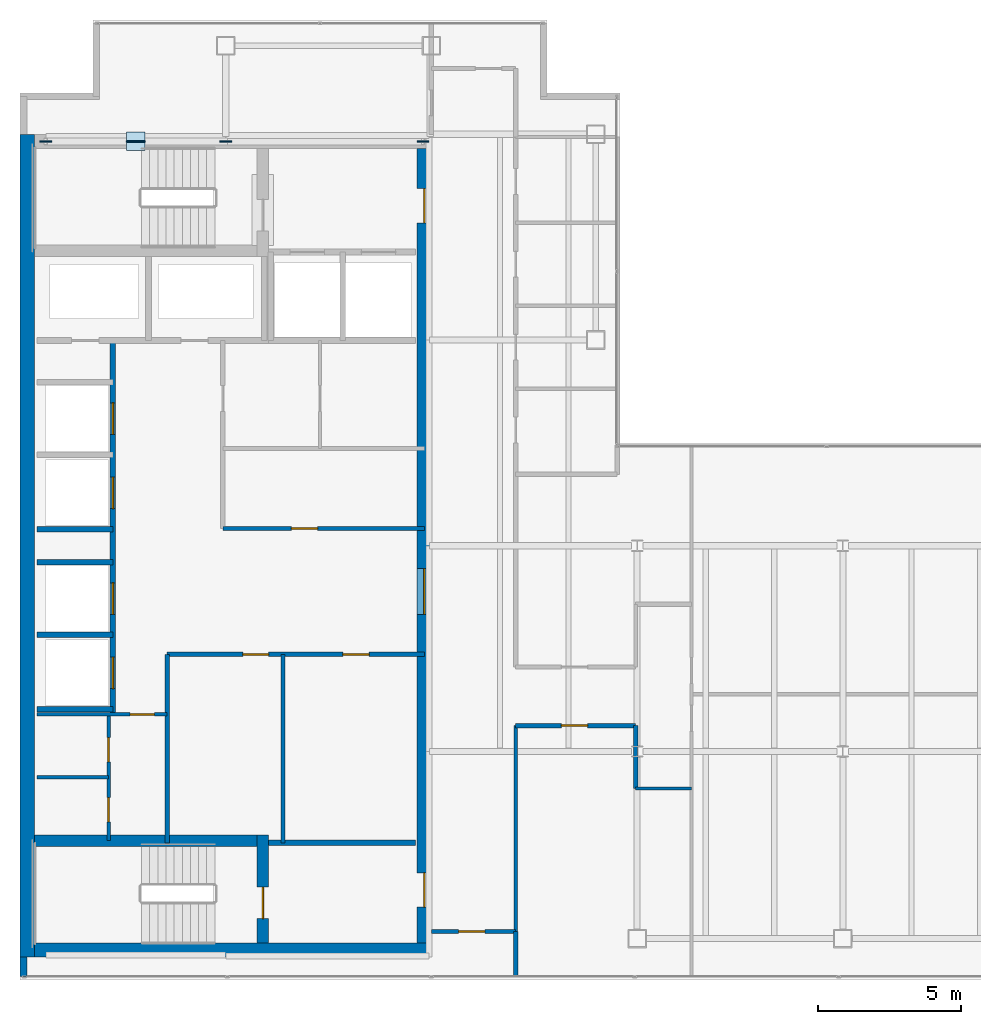
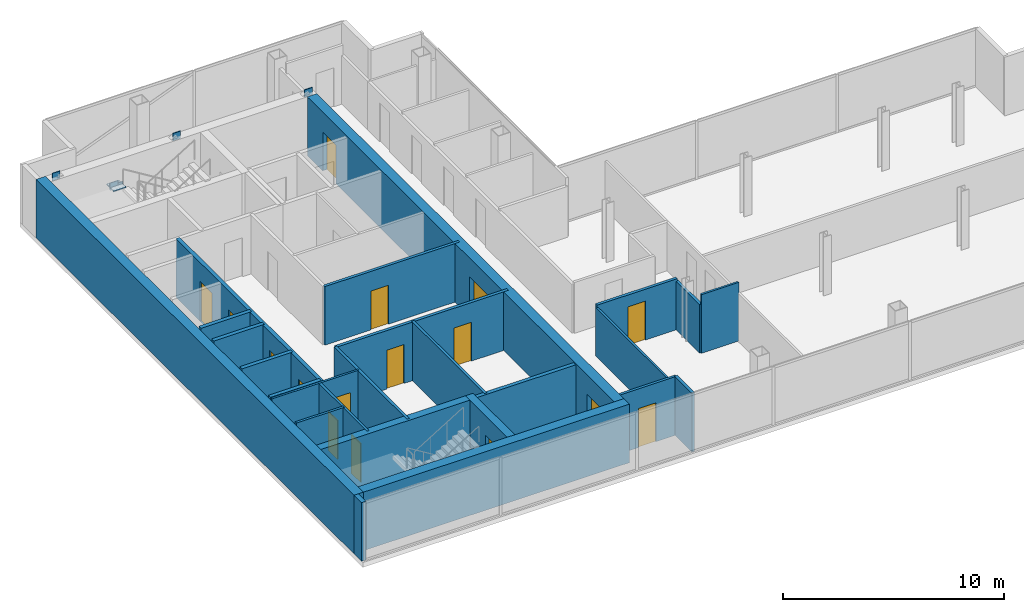
# One storey, part 20 of 23: 25 walls, 16 doors, 6 plates, 16 openings.
"""IFC4 building model written with IfcOpenShell, lengths in metres."""

from ifc_helpers import new_model, si_unit, direction, frame, frame_2d, origin, origin_2d, place, context, subcontext, project, spatial, rectangle, extrude, material, layer, layer_set, type_object, element, fill, save


model = new_model("IFC4")

# Units and contexts
model_context = context("Model", 3, precision=1e-05, world=origin(), true_north=direction((0.0, 1.0)))
body_context = subcontext(model_context, "Body", "Model", "MODEL_VIEW")
ifc_project = project(units=[si_unit("LENGTHUNIT", "METRE"), si_unit("AREAUNIT", "SQUARE_METRE"), si_unit("VOLUMEUNIT", "CUBIC_METRE"), si_unit("PLANEANGLEUNIT", "RADIAN"), si_unit("MASSUNIT", "GRAM", prefix="KILO")], contexts=[model_context])

# Site, building, storey
site_placement = place(None, origin())
site = spatial("IfcSite", under=ifc_project, at=site_placement, CompositionType="ELEMENT")
building_placement = place(site_placement, origin())
building = spatial("IfcBuilding", under=site, at=building_placement, Name="Cobrela Telecom Tower", CompositionType="ELEMENT")
storey_placement = place(building_placement, frame((0.0, 0.0, 258.64990234375)))
storey = spatial("IfcBuildingStorey", under=building, at=storey_placement, Name="L67", CompositionType="ELEMENT", Elevation=258.64990234375)

# Plates
ifc_material_1 = material(Name="Steel ASTM A572 Grade 50", Category="steel")
ifc_layer_1 = layer(ifc_material_1, 0.0419921875)
ifc_layer_set_1 = layer_set([ifc_layer_1], Name="Steel ASTM A572 Grade 50")
plate_type = type_object("IfcPlateType", Name="PLT-NODE-ND1", PredefinedType="USERDEFINED", material=ifc_layer_set_1)
for number, where, z_axis, x_axis, name in (
    (1, (7.199951171875, 35.75, 3.0751953125), (0.0, 0.0, 1.0), (1.0, 0.0, 0.0), "Steel node plate PLT-MBR-EXO-L67-N1-A-1"),
    (2, (4.173828125, 35.75, 1.349609375), (0.0, 0.0, 1.0), (-1.0, 0.0, 0.0), "Steel node plate PLT-MBR-EXO-L67-N1-B1-1"),
    (3, (3.926025390625, 35.75, 1.48046875), (0.0, 0.0, 1.0), (-1.0, 0.0, 0.0), "Steel node plate PLT-MBR-EXO-L67-N1-B2-0"),
    (4, (0.89990234375, 35.75, 3.0751953125), (0.0, 0.0, 1.0), (-1.0, 0.0, 0.0), "Steel node plate PLT-MBR-EXO-L67-N1-B2-1"),
):
    element("IfcPlate", number, at=place(storey_placement, frame(where, z_axis=z_axis, x_axis=x_axis)), inside=storey, type_object=plate_type, Name=name, ObjectType="GUSSET PLATE", PredefinedType="USERDEFINED", context=body_context, shape_type="SweptSolid", body=[
        extrude(rectangle(XDim=0.409912109375, YDim=0.044921875, at=origin_2d()), origin(), (0.0, 0.0, 1.0), 0.409912109375),
    ])
plate_1_placement = place(storey_placement, frame((4.050048828125, 35.75, 1.59765625), z_axis=(0.0, 0.0, 1.0), x_axis=(1.0, 0.0, 0.0)))
element("IfcPlate", 5, at=plate_1_placement, inside=storey, type_object=plate_type, Name="L67 Core Flange Steel X-Brace Central X-Crossing Gusset Plate", ObjectType="GUSSET PLATE", PredefinedType="USERDEFINED", context=body_context, shape_type="SweptSolid", body=[
    extrude(rectangle(XDim=0.64990234375, YDim=0.64990234375, at=origin_2d()), origin(), (0.0, 0.0, 1.0), 0.044921875),
])
plate_2_placement = place(storey_placement, frame((14.10009765625, 35.75, 3.0751953125), z_axis=(0.0, 0.0, 1.0), x_axis=(1.0, 0.0, 0.0)))
element("IfcPlate", 6, at=plate_2_placement, inside=storey, type_object=plate_type, Name="Steel node plate PLT-MBR-EXO-L67-N2-1", ObjectType="GUSSET PLATE", PredefinedType="USERDEFINED", context=body_context, shape_type="SweptSolid", body=[
    extrude(rectangle(XDim=0.409912109375, YDim=0.044921875, at=origin_2d()), origin(), (0.0, 0.0, 1.0), 0.409912109375),
])

# Walls
ifc_material_2 = material(Name="Concrete C40/50", Category="concrete")
ifc_layer_2 = layer(ifc_material_2, 0.5)
ifc_layer_set_2 = layer_set([ifc_layer_2], Name="Concrete C40/50")
wall_type_1 = type_object("IfcWallType", Name="WALL-CORE-C40-500", PredefinedType="SHEAR", material=ifc_layer_set_2)
wall_1_placement = place(storey_placement, frame((0.25, 7.199951171875, 0.0), z_axis=(0.0, 0.0, 1.0), x_axis=(0.0, 1.0, 0.0)))
element("IfcWall", 7, at=wall_1_placement, inside=storey, type_object=wall_type_1, Name="L67 West Core Shear Wall", PredefinedType="SHEAR", context=body_context, shape_type="SweptSolid", body=[
    extrude(rectangle(XDim=28.800048828125, YDim=0.5, at=frame_2d((14.39990234375, 0.0))), origin(), (0.0, 0.0, 1.0), 3.239990234375),
])
wall_2_placement = place(storey_placement, frame((0.5, 7.449951171875, 0.0), z_axis=(0.0, 0.0, 1.0), x_axis=(1.0, 0.0, 0.0)))
element("IfcWall", 8, at=wall_2_placement, inside=storey, type_object=wall_type_1, Name="L67 South Core Shear Wall", PredefinedType="SHEAR", context=body_context, shape_type="SweptSolid", body=[
    extrude(rectangle(XDim=13.89990234375, YDim=0.5, at=frame_2d((6.949951171875, 0.0))), origin(), (0.0, 0.0, 1.0), 3.239990234375),
])

# Wall, openings, doors
wall_3_placement = place(storey_placement, frame((14.14990234375, 35.5, 0.0), z_axis=(0.0, 0.0, 1.0), x_axis=(0.0, -1.0, 0.0)))
wall_3 = element("IfcWall", 9, at=wall_3_placement, inside=storey, type_object=wall_type_1, Name="L67 East Core Shear Wall", PredefinedType="SHEAR", context=body_context, shape_type="SweptSolid", body=[
    extrude(rectangle(XDim=27.800048828125, YDim=0.5, at=frame_2d((13.89990234375, 0.0))), origin(), (0.0, 0.0, 1.0), 3.239990234375),
])
opening_1_placement = place(wall_3_placement, frame((1.39990234375, 0.0, 0.0)))
opening_1 = element("IfcOpeningElement", 10, at=opening_1_placement, cuts=wall_3, Name="Opening DR-19", PredefinedType="OPENING", context=body_context, shape_type="SweptSolid", body=[
    extrude(rectangle(XDim=1.199951171875, YDim=2.14990234375, at=frame_2d((0.60009765625, 1.074951171875))), frame((0.0, 0.261962890625, 0.0), z_axis=(0.0, -1.0, 0.0), x_axis=(1.0, 0.0, 0.0)), (0.0, 0.0, 1.0), 0.52392578125),
])
opening_2_placement = place(wall_3_placement, frame((25.35009765625, 0.0, 0.0)))
opening_2 = element("IfcOpeningElement", 11, at=opening_2_placement, cuts=wall_3, Name="Opening DR-19", PredefinedType="OPENING", context=body_context, shape_type="SweptSolid", body=[
    extrude(rectangle(XDim=1.199951171875, YDim=2.14990234375, at=frame_2d((0.60009765625, 1.074951171875))), frame((0.0, 0.261962890625, 0.0), z_axis=(0.0, -1.0, 0.0), x_axis=(1.0, 0.0, 0.0)), (0.0, 0.0, 1.0), 0.52392578125),
])
opening_3_placement = place(wall_3_placement, frame((14.699951171875, 0.0, 0.0)))
opening_3 = element("IfcOpeningElement", 12, at=opening_3_placement, cuts=wall_3, Name="Opening DR-51", PredefinedType="OPENING", context=body_context, shape_type="SweptSolid", body=[
    extrude(rectangle(XDim=1.60009765625, YDim=2.199951171875, at=frame_2d((0.800048828125, 1.10009765625))), frame((0.0, 0.261962890625, 0.0), z_axis=(0.0, -1.0, 0.0), x_axis=(1.0, 0.0, 0.0)), (0.0, 0.0, 1.0), 0.52392578125),
])
ifc_material_3 = material(Name="Steel ASTM A36", Category="steel")
door_type_1 = type_object("IfcDoorType", Name="DOOR-FD60-1200", OperationType="SINGLE_SWING_LEFT", PredefinedType="DOOR", material=ifc_material_3)
door_1_placement = place(opening_1_placement, origin())
door_1 = element("IfcDoor", 13, at=door_1_placement, inside=storey, type_object=door_type_1, Name="L67 Door DR-19", OperationType="SINGLE_SWING_LEFT", OverallHeight=2.14990234375, OverallWidth=1.199951171875, PredefinedType="DOOR", context=body_context, shape_type="SweptSolid", body=[
    extrude(rectangle(XDim=1.199951171875, YDim=2.14990234375, at=frame_2d((0.60009765625, 1.074951171875))), frame((0.0, 0.02490234375, 0.0), z_axis=(0.0, -1.0, 0.0), x_axis=(1.0, 0.0, 0.0)), (0.0, 0.0, 1.0), 0.050048828125),
])
fill(opening_1, door_1)
door_2_placement = place(opening_2_placement, origin())
door_2 = element("IfcDoor", 14, at=door_2_placement, inside=storey, type_object=door_type_1, Name="L67 Door DR-19", OperationType="SINGLE_SWING_RIGHT", OverallHeight=2.14990234375, OverallWidth=1.199951171875, PredefinedType="DOOR", context=body_context, shape_type="SweptSolid", body=[
    extrude(rectangle(XDim=1.199951171875, YDim=2.14990234375, at=frame_2d((0.60009765625, 1.074951171875))), frame((0.0, 0.02490234375, 0.0), z_axis=(0.0, -1.0, 0.0), x_axis=(1.0, 0.0, 0.0)), (0.0, 0.0, 1.0), 0.050048828125),
])
fill(opening_2, door_2)
door_type_2 = type_object("IfcDoorType", Name="DOOR-FD60-1600", OperationType="SINGLE_SWING_LEFT", PredefinedType="DOOR", material=ifc_material_3)
door_3_placement = place(opening_3_placement, origin())
door_3 = element("IfcDoor", 15, at=door_3_placement, inside=storey, type_object=door_type_2, Name="L67 Door DR-51", OperationType="DOUBLE_DOOR_SINGLE_SWING", OverallHeight=2.199951171875, OverallWidth=1.60009765625, PredefinedType="DOOR", context=body_context, shape_type="SweptSolid", body=[
    extrude(rectangle(XDim=1.60009765625, YDim=2.199951171875, at=frame_2d((0.800048828125, 1.10009765625))), frame((0.0, 0.02490234375, 0.0), z_axis=(0.0, -1.0, 0.0), x_axis=(1.0, 0.0, 0.0)), (0.0, 0.0, 1.0), 0.050048828125),
])
fill(opening_3, door_3)

# Wall
ifc_layer_3 = layer(ifc_material_2, 0.239990234375)
ifc_layer_set_3 = layer_set([ifc_layer_3], Name="Concrete C40/50")
wall_type_2 = type_object("IfcWallType", Name="WALL-EXT-300", PredefinedType="STANDARD", material=ifc_layer_set_3)
wall_4_placement = place(storey_placement, frame((0.1201171875, 6.52001953125, 0.0), z_axis=(0.0, 0.0, 1.0), x_axis=(0.0, 1.0, 0.0)))
element("IfcWall", 16, at=wall_4_placement, inside=storey, type_object=wall_type_2, Name="L67 Insulated Facade Wall 01", PredefinedType="STANDARD", context=body_context, shape_type="SweptSolid", body=[
    extrude(rectangle(XDim=0.679931640625, YDim=0.239990234375, at=frame_2d((0.33984375, 0.0))), origin(), (0.0, 0.0, 1.0), 3.239990234375),
])

# Wall, opening, door
ifc_material_4 = material(Name="Fire-Rated Gypsum Plasterboard")
ifc_layer_4 = layer(ifc_material_4, 0.110107421875)
ifc_layer_set_4 = layer_set([ifc_layer_4], Name="Fire-Rated Gypsum Plasterboard")
wall_type_3 = type_object("IfcWallType", Name="WALL-PART-110", PredefinedType="PARTITIONING", material=ifc_layer_set_4)
wall_5_placement = place(storey_placement, frame((0.60009765625, 15.699951171875, 0.0), z_axis=(0.0, 0.0, 1.0), x_axis=(1.0, 0.0, 0.0)))
wall_5 = element("IfcWall", 17, at=wall_5_placement, inside=storey, type_object=wall_type_3, Name="L67 Interior Partition CW-FLEX-N", PredefinedType="PARTITIONING", context=body_context, shape_type="SweptSolid", body=[
    extrude(rectangle(XDim=4.5498046875, YDim=0.110107421875, at=frame_2d((2.27490234375, 0.0))), origin(), (0.0, 0.0, 1.0), 3.239990234375),
])
opening_4_placement = place(wall_5_placement, frame((3.25, 0.0, 0.0)))
opening_4 = element("IfcOpeningElement", 18, at=opening_4_placement, cuts=wall_5, Name="Opening DR-11", PredefinedType="OPENING", context=body_context, shape_type="SweptSolid", body=[
    extrude(rectangle(XDim=0.85009765625, YDim=2.14990234375, at=frame_2d((0.425048828125, 1.074951171875))), frame((0.0, 0.06689453125, 0.0), z_axis=(0.0, -1.0, 0.0), x_axis=(1.0, 0.0, 0.0)), (0.0, 0.0, 1.0), 0.134033203125),
])
ifc_material_5 = material(Name="Solid Engineered Oak Timber", Category="wood")
door_type_3 = type_object("IfcDoorType", Name="DOOR-INT-850", OperationType="SINGLE_SWING_LEFT", PredefinedType="DOOR", material=ifc_material_5)
door_4_placement = place(opening_4_placement, origin())
door_4 = element("IfcDoor", 19, at=door_4_placement, inside=storey, type_object=door_type_3, Name="L67 Door DR-11", OperationType="SINGLE_SWING_LEFT", OverallHeight=2.14990234375, OverallWidth=0.85009765625, PredefinedType="DOOR", context=body_context, shape_type="SweptSolid", body=[
    extrude(rectangle(XDim=0.85009765625, YDim=2.14990234375, at=frame_2d((0.425048828125, 1.074951171875))), frame((0.0, 0.02490234375, 0.0), z_axis=(0.0, -1.0, 0.0), x_axis=(1.0, 0.0, 0.0)), (0.0, 0.0, 1.0), 0.050048828125),
])
fill(opening_4, door_4)

# Walls
wall_6_placement = place(storey_placement, frame((17.35009765625, 8.10009765625, 0.0), z_axis=(0.0, 0.0, 1.0), x_axis=(0.0, 1.0, 0.0)))
element("IfcWall", 20, at=wall_6_placement, inside=storey, type_object=wall_type_3, Name="L67 Interior Partition W-C-E1", PredefinedType="PARTITIONING", context=body_context, shape_type="SweptSolid", body=[
    extrude(rectangle(XDim=7.199951171875, YDim=0.110107421875, at=frame_2d((3.60009765625, 0.0))), origin(), (0.0, 0.0, 1.0), 2.676025390625),
])
wall_7_placement = place(storey_placement, frame((21.550048828125, 13.10009765625, 0.0), z_axis=(0.0, 0.0, 1.0), x_axis=(1.0, 0.0, 0.0)))
element("IfcWall", 21, at=wall_7_placement, inside=storey, type_object=wall_type_3, Name="L67 Interior Partition W-CT-S", PredefinedType="PARTITIONING", context=body_context, shape_type="SweptSolid", body=[
    extrude(rectangle(XDim=1.949951171875, YDim=0.110107421875, at=frame_2d((0.97509765625, 0.0))), origin(), (0.0, 0.0, 1.0), 3.239990234375),
])
ifc_layer_5 = layer(ifc_material_4, 0.125)
ifc_layer_set_5 = layer_set([ifc_layer_5], Name="Fire-Rated Gypsum Plasterboard")
wall_type_4 = type_object("IfcWallType", Name="WALL-PART-125", PredefinedType="PARTITIONING", material=ifc_layer_set_5)
wall_8_placement = place(storey_placement, frame((0.60009765625, 13.5, 0.0), z_axis=(0.0, 0.0, 1.0), x_axis=(1.0, 0.0, 0.0)))
element("IfcWall", 22, at=wall_8_placement, inside=storey, type_object=wall_type_4, Name="L67 Interior Partition CW-FK3-H", PredefinedType="PARTITIONING", context=body_context, shape_type="SweptSolid", body=[
    extrude(rectangle(XDim=2.5, YDim=0.125, at=frame_2d((1.25, 0.0))), origin(), (0.0, 0.0, 1.0), 3.239990234375),
])

# Wall, openings, doors
wall_9_placement = place(storey_placement, frame((3.10009765625, 11.280029296875, 0.0), z_axis=(0.0, 0.0, 1.0), x_axis=(0.0, 1.0, 0.0)))
wall_9 = element("IfcWall", 23, at=wall_9_placement, inside=storey, type_object=wall_type_4, Name="L67 Interior Partition CW-FK3-V", PredefinedType="PARTITIONING", context=body_context, shape_type="SweptSolid", body=[
    extrude(rectangle(XDim=4.419921875, YDim=0.125, at=frame_2d((2.2099609375, 0.0))), origin(), (0.0, 0.0, 1.0), 3.239990234375),
])
opening_5_placement = place(wall_9_placement, frame((0.64990234375, 0.0, 0.0)))
opening_5 = element("IfcOpeningElement", 24, at=opening_5_placement, cuts=wall_9, Name="Opening DR-11", PredefinedType="OPENING", context=body_context, shape_type="SweptSolid", body=[
    extrude(rectangle(XDim=0.85009765625, YDim=2.14990234375, at=frame_2d((0.425048828125, 1.074951171875))), frame((0.0, 0.074462890625, 0.0), z_axis=(0.0, -1.0, 0.0), x_axis=(1.0, 0.0, 0.0)), (0.0, 0.0, 1.0), 0.14892578125),
])
opening_6_placement = place(wall_9_placement, frame((2.75, 0.0, 0.0)))
opening_6 = element("IfcOpeningElement", 25, at=opening_6_placement, cuts=wall_9, Name="Opening DR-11", PredefinedType="OPENING", context=body_context, shape_type="SweptSolid", body=[
    extrude(rectangle(XDim=0.85009765625, YDim=2.14990234375, at=frame_2d((0.425048828125, 1.074951171875))), frame((0.0, 0.074462890625, 0.0), z_axis=(0.0, -1.0, 0.0), x_axis=(1.0, 0.0, 0.0)), (0.0, 0.0, 1.0), 0.14892578125),
])
door_5_placement = place(opening_5_placement, origin())
door_5 = element("IfcDoor", 26, at=door_5_placement, inside=storey, type_object=door_type_3, Name="L67 Door DR-11", OperationType="SINGLE_SWING_LEFT", OverallHeight=2.14990234375, OverallWidth=0.85009765625, PredefinedType="DOOR", context=body_context, shape_type="SweptSolid", body=[
    extrude(rectangle(XDim=0.85009765625, YDim=2.14990234375, at=frame_2d((0.425048828125, 1.074951171875))), frame((0.0, 0.02490234375, 0.0), z_axis=(0.0, -1.0, 0.0), x_axis=(1.0, 0.0, 0.0)), (0.0, 0.0, 1.0), 0.050048828125),
])
fill(opening_5, door_5)
door_6_placement = place(opening_6_placement, origin())
door_6 = element("IfcDoor", 27, at=door_6_placement, inside=storey, type_object=door_type_3, Name="L67 Door DR-11", OperationType="SINGLE_SWING_RIGHT", OverallHeight=2.14990234375, OverallWidth=0.85009765625, PredefinedType="DOOR", context=body_context, shape_type="SweptSolid", body=[
    extrude(rectangle(XDim=0.85009765625, YDim=2.14990234375, at=frame_2d((0.425048828125, 1.074951171875))), frame((0.0, 0.02490234375, 0.0), z_axis=(0.0, -1.0, 0.0), x_axis=(1.0, 0.0, 0.0)), (0.0, 0.0, 1.0), 0.050048828125),
])
fill(opening_6, door_6)

# Wall
ifc_layer_6 = layer(ifc_material_4, 0.135009765625)
ifc_layer_set_6 = layer_set([ifc_layer_6], Name="Fire-Rated Gypsum Plasterboard")
wall_type_5 = type_object("IfcWallType", Name="WALL-PART-135", PredefinedType="PARTITIONING", material=ifc_layer_set_6)
wall_10_placement = place(storey_placement, frame((9.199951171875, 11.199951171875, 0.0), z_axis=(0.0, 0.0, 1.0), x_axis=(0.0, 1.0, 0.0)))
element("IfcWall", 28, at=wall_10_placement, inside=storey, type_object=wall_type_5, Name="L67 Interior Partition CW-RECM-V", PredefinedType="PARTITIONING", context=body_context, shape_type="SweptSolid", body=[
    extrude(rectangle(XDim=6.60009765625, YDim=0.135009765625, at=frame_2d((3.300048828125, 0.0))), origin(), (0.0, 0.0, 1.0), 3.239990234375),
])

# Wall, opening, door
wall_11_placement = place(storey_placement, frame((14.39990234375, 8.10009765625, 0.0), z_axis=(0.0, 0.0, 1.0), x_axis=(1.0, 0.0, 0.0)))
wall_11 = element("IfcWall", 29, at=wall_11_placement, inside=storey, type_object=wall_type_5, Name="L67 Interior Partition W-C-S0", PredefinedType="PARTITIONING", context=body_context, shape_type="SweptSolid", body=[
    extrude(rectangle(XDim=2.9501953125, YDim=0.135009765625, at=frame_2d((1.47509765625, 0.0))), origin(), (0.0, 0.0, 1.0), 3.239990234375),
])
opening_7_placement = place(wall_11_placement, frame((0.949951171875, 0.0, 0.0)))
opening_7 = element("IfcOpeningElement", 30, at=opening_7_placement, cuts=wall_11, Name="Opening DR-45", PredefinedType="OPENING", context=body_context, shape_type="SweptSolid", body=[
    extrude(rectangle(XDim=0.919921875, YDim=2.14990234375, at=frame_2d((0.4599609375, 1.074951171875))), frame((0.0, 0.07958984375, 0.0), z_axis=(0.0, -1.0, 0.0), x_axis=(1.0, 0.0, 0.0)), (0.0, 0.0, 1.0), 0.158935546875),
])
door_type_4 = type_object("IfcDoorType", Name="DOOR-INT-920", OperationType="SINGLE_SWING_LEFT", PredefinedType="DOOR", material=ifc_material_5)
door_7_placement = place(opening_7_placement, origin())
door_7 = element("IfcDoor", 31, at=door_7_placement, inside=storey, type_object=door_type_4, Name="L67 Door DR-45", OperationType="SINGLE_SWING_RIGHT", OverallHeight=2.14990234375, OverallWidth=0.919921875, PredefinedType="DOOR", context=body_context, shape_type="SweptSolid", body=[
    extrude(rectangle(XDim=0.919921875, YDim=2.14990234375, at=frame_2d((0.4599609375, 1.074951171875))), frame((0.0, 0.02490234375, 0.0), z_axis=(0.0, -1.0, 0.0), x_axis=(1.0, 0.0, 0.0)), (0.0, 0.0, 1.0), 0.050048828125),
])
fill(opening_7, door_7)

ifc_layer_7 = layer(ifc_material_4, 0.14990234375)
ifc_layer_set_7 = layer_set([ifc_layer_7], Name="Fire-Rated Gypsum Plasterboard")
wall_type_6 = type_object("IfcWallType", Name="WALL-PART-150", PredefinedType="PARTITIONING", material=ifc_layer_set_7)
wall_12_placement = place(storey_placement, frame((7.10009765625, 22.199951171875, 0.0), z_axis=(0.0, 0.0, 1.0), x_axis=(1.0, 0.0, 0.0)))
wall_12 = element("IfcWall", 32, at=wall_12_placement, inside=storey, type_object=wall_type_6, Name="L67 Interior Partition CW-RECL-S", PredefinedType="PARTITIONING", context=body_context, shape_type="SweptSolid", body=[
    extrude(rectangle(XDim=7.0498046875, YDim=0.14990234375, at=frame_2d((3.52490234375, 0.0))), origin(), (0.0, 0.0, 1.0), 3.239990234375),
])
opening_8_placement = place(wall_12_placement, frame((2.39990234375, 0.0, 0.0)))
opening_8 = element("IfcOpeningElement", 33, at=opening_8_placement, cuts=wall_12, Name="Opening DR-45", PredefinedType="OPENING", context=body_context, shape_type="SweptSolid", body=[
    extrude(rectangle(XDim=0.919921875, YDim=2.14990234375, at=frame_2d((0.4599609375, 1.074951171875))), frame((0.0, 0.0869140625, 0.0), z_axis=(0.0, -1.0, 0.0), x_axis=(1.0, 0.0, 0.0)), (0.0, 0.0, 1.0), 0.173828125),
])
door_8_placement = place(opening_8_placement, origin())
door_8 = element("IfcDoor", 34, at=door_8_placement, inside=storey, type_object=door_type_4, Name="L67 Door DR-45", OperationType="SINGLE_SWING_LEFT", OverallHeight=2.14990234375, OverallWidth=0.919921875, PredefinedType="DOOR", context=body_context, shape_type="SweptSolid", body=[
    extrude(rectangle(XDim=0.919921875, YDim=2.14990234375, at=frame_2d((0.4599609375, 1.074951171875))), frame((0.0, 0.02490234375, 0.0), z_axis=(0.0, -1.0, 0.0), x_axis=(1.0, 0.0, 0.0)), (0.0, 0.0, 1.0), 0.050048828125),
])
fill(opening_8, door_8)

# Wall
wall_13_placement = place(storey_placement, frame((5.14990234375, 11.199951171875, 0.0), z_axis=(0.0, 0.0, 1.0), x_axis=(0.0, 1.0, 0.0)))
element("IfcWall", 35, at=wall_13_placement, inside=storey, type_object=wall_type_6, Name="L67 Interior Partition CW-RECM-W", PredefinedType="PARTITIONING", context=body_context, shape_type="SweptSolid", body=[
    extrude(rectangle(XDim=6.60009765625, YDim=0.14990234375, at=frame_2d((3.300048828125, 0.0))), origin(), (0.0, 0.0, 1.0), 3.239990234375),
])

# Wall, opening, door
wall_14_placement = place(storey_placement, frame((17.35009765625, 15.300048828125, 0.0), z_axis=(0.0, 0.0, 1.0), x_axis=(1.0, 0.0, 0.0)))
wall_14 = element("IfcWall", 36, at=wall_14_placement, inside=storey, type_object=wall_type_6, Name="L67 Interior Partition W-C-HS", PredefinedType="PARTITIONING", context=body_context, shape_type="SweptSolid", body=[
    extrude(rectangle(XDim=4.199951171875, YDim=0.14990234375, at=frame_2d((2.10009765625, 0.0))), origin(), (0.0, 0.0, 1.0), 2.80810546875),
])
opening_9_placement = place(wall_14_placement, frame((1.60009765625, 0.0, 0.0)))
opening_9 = element("IfcOpeningElement", 37, at=opening_9_placement, cuts=wall_14, Name="Opening DR-45", PredefinedType="OPENING", context=body_context, shape_type="SweptSolid", body=[
    extrude(rectangle(XDim=0.919921875, YDim=2.14990234375, at=frame_2d((0.4599609375, 1.074951171875))), frame((0.0, 0.0869140625, 0.0), z_axis=(0.0, -1.0, 0.0), x_axis=(1.0, 0.0, 0.0)), (0.0, 0.0, 1.0), 0.173828125),
])
door_9_placement = place(opening_9_placement, origin())
door_9 = element("IfcDoor", 38, at=door_9_placement, inside=storey, type_object=door_type_4, Name="L67 Door DR-45", OperationType="SINGLE_SWING_LEFT", OverallHeight=2.14990234375, OverallWidth=0.919921875, PredefinedType="DOOR", context=body_context, shape_type="SweptSolid", body=[
    extrude(rectangle(XDim=0.919921875, YDim=2.14990234375, at=frame_2d((0.4599609375, 1.074951171875))), frame((0.0, 0.02490234375, 0.0), z_axis=(0.0, -1.0, 0.0), x_axis=(1.0, 0.0, 0.0)), (0.0, 0.0, 1.0), 0.050048828125),
])
fill(opening_9, door_9)

# Walls
wall_15_placement = place(storey_placement, frame((21.550048828125, 13.10009765625, 0.0), z_axis=(0.0, 0.0, 1.0), x_axis=(0.0, 1.0, 0.0)))
element("IfcWall", 39, at=wall_15_placement, inside=storey, type_object=wall_type_6, Name="L67 Interior Partition W-CT-JW1", PredefinedType="PARTITIONING", context=body_context, shape_type="SweptSolid", body=[
    extrude(rectangle(XDim=2.199951171875, YDim=0.14990234375, at=frame_2d((1.10009765625, 0.0))), origin(), (0.0, 0.0, 1.0), 2.676025390625),
])
wall_16_placement = place(storey_placement, frame((17.35009765625, 6.52001953125, 0.0), z_axis=(0.0, 0.0, 1.0), x_axis=(0.0, 1.0, 0.0)))
element("IfcWall", 40, at=wall_16_placement, inside=storey, type_object=wall_type_6, Name="L67 Interior Partition W-SW-E", PredefinedType="PARTITIONING", context=body_context, shape_type="SweptSolid", body=[
    extrude(rectangle(XDim=1.580078125, YDim=0.14990234375, at=frame_2d((0.7900390625, 0.0))), origin(), (0.0, 0.0, 1.0), 3.239990234375),
])

# Wall, openings, doors
ifc_layer_8 = layer(ifc_material_4, 0.159912109375)
ifc_layer_set_8 = layer_set([ifc_layer_8], Name="Fire-Rated Gypsum Plasterboard")
wall_type_7 = type_object("IfcWallType", Name="WALL-PART-160", PredefinedType="PARTITIONING", material=ifc_layer_set_8)
wall_17_placement = place(storey_placement, frame((5.14990234375, 17.800048828125, 0.0), z_axis=(0.0, 0.0, 1.0), x_axis=(1.0, 0.0, 0.0)))
wall_17 = element("IfcWall", 41, at=wall_17_placement, inside=storey, type_object=wall_type_7, Name="L67 Interior Partition CW-RECM-N", PredefinedType="PARTITIONING", context=body_context, shape_type="SweptSolid", body=[
    extrude(rectangle(XDim=9.0, YDim=0.159912109375, at=frame_2d((4.5, 0.0))), origin(), (0.0, 0.0, 1.0), 3.239990234375),
])
opening_10_placement = place(wall_17_placement, frame((2.64990234375, 0.0, 0.0)))
opening_10 = element("IfcOpeningElement", 42, at=opening_10_placement, cuts=wall_17, Name="Opening DR-41", PredefinedType="OPENING", context=body_context, shape_type="SweptSolid", body=[
    extrude(rectangle(XDim=0.89990234375, YDim=2.14990234375, at=frame_2d((0.449951171875, 1.074951171875))), frame((0.0, 0.091796875, 0.0), z_axis=(0.0, -1.0, 0.0), x_axis=(1.0, 0.0, 0.0)), (0.0, 0.0, 1.0), 0.183837890625),
])
opening_11_placement = place(wall_17_placement, frame((6.14990234375, 0.0, 0.0)))
opening_11 = element("IfcOpeningElement", 43, at=opening_11_placement, cuts=wall_17, Name="Opening DR-45", PredefinedType="OPENING", context=body_context, shape_type="SweptSolid", body=[
    extrude(rectangle(XDim=0.919921875, YDim=2.14990234375, at=frame_2d((0.4599609375, 1.074951171875))), frame((0.0, 0.091796875, 0.0), z_axis=(0.0, -1.0, 0.0), x_axis=(1.0, 0.0, 0.0)), (0.0, 0.0, 1.0), 0.183837890625),
])
door_type_5 = type_object("IfcDoorType", Name="DOOR-INT-900", OperationType="SINGLE_SWING_LEFT", PredefinedType="DOOR", material=ifc_material_5)
door_10_placement = place(opening_10_placement, origin())
door_10 = element("IfcDoor", 44, at=door_10_placement, inside=storey, type_object=door_type_5, Name="L67 Door DR-41", OperationType="SINGLE_SWING_LEFT", OverallHeight=2.14990234375, OverallWidth=0.89990234375, PredefinedType="DOOR", context=body_context, shape_type="SweptSolid", body=[
    extrude(rectangle(XDim=0.89990234375, YDim=2.14990234375, at=frame_2d((0.449951171875, 1.074951171875))), frame((0.0, 0.02490234375, 0.0), z_axis=(0.0, -1.0, 0.0), x_axis=(1.0, 0.0, 0.0)), (0.0, 0.0, 1.0), 0.050048828125),
])
fill(opening_10, door_10)
door_11_placement = place(opening_11_placement, origin())
door_11 = element("IfcDoor", 45, at=door_11_placement, inside=storey, type_object=door_type_4, Name="L67 Door DR-45", OperationType="SINGLE_SWING_RIGHT", OverallHeight=2.14990234375, OverallWidth=0.919921875, PredefinedType="DOOR", context=body_context, shape_type="SweptSolid", body=[
    extrude(rectangle(XDim=0.919921875, YDim=2.14990234375, at=frame_2d((0.4599609375, 1.074951171875))), frame((0.0, 0.02490234375, 0.0), z_axis=(0.0, -1.0, 0.0), x_axis=(1.0, 0.0, 0.0)), (0.0, 0.0, 1.0), 0.050048828125),
])
fill(opening_11, door_11)

# Wall
ifc_layer_9 = layer(ifc_material_4, 0.199951171875)
ifc_layer_set_9 = layer_set([ifc_layer_9], Name="Fire-Rated Gypsum Plasterboard")
wall_type_8 = type_object("IfcWallType", Name="WALL-SHAFT-200", PredefinedType="PARTITIONING", material=ifc_layer_set_9)
wall_18_placement = place(storey_placement, frame((8.699951171875, 11.199951171875, 0.0), z_axis=(0.0, 0.0, 1.0), x_axis=(1.0, 0.0, 0.0)))
element("IfcWall", 46, at=wall_18_placement, inside=storey, type_object=wall_type_8, Name="L67 Shaft Enclosure CW-ST2L-N", PredefinedType="PARTITIONING", context=body_context, shape_type="SweptSolid", body=[
    extrude(rectangle(XDim=5.150146484375, YDim=0.199951171875, at=frame_2d((2.5751953125, 0.0))), origin(), (0.0, 0.0, 1.0), 3.239990234375),
])

# Wall, openings, doors
wall_19_placement = place(storey_placement, frame((3.25, 15.699951171875, 0.0), z_axis=(0.0, 0.0, 1.0), x_axis=(0.0, 1.0, 0.0)))
wall_19 = element("IfcWall", 47, at=wall_19_placement, inside=storey, type_object=wall_type_8, Name="L67 Shaft Enclosure CW-PLH-E", PredefinedType="PARTITIONING", context=body_context, shape_type="SweptSolid", body=[
    extrude(rectangle(XDim=13.080078125, YDim=0.199951171875, at=frame_2d((6.5400390625, 0.0))), origin(), (0.0, 0.0, 1.0), 3.239990234375),
])
opening_12_placement = place(wall_19_placement, frame((0.89990234375, 0.0, 0.0)))
opening_12 = element("IfcOpeningElement", 48, at=opening_12_placement, cuts=wall_19, Name="Opening LD-1", PredefinedType="OPENING", context=body_context, shape_type="SweptSolid", body=[
    extrude(rectangle(XDim=1.10009765625, YDim=2.199951171875, at=frame_2d((0.550048828125, 1.10009765625))), frame((0.0, 0.11181640625, 0.0), z_axis=(0.0, -1.0, 0.0), x_axis=(1.0, 0.0, 0.0)), (0.0, 0.0, 1.0), 0.223876953125),
])
opening_13_placement = place(wall_19_placement, frame((3.5, 0.0, 0.0)))
opening_13 = element("IfcOpeningElement", 49, at=opening_13_placement, cuts=wall_19, Name="Opening LD-1", PredefinedType="OPENING", context=body_context, shape_type="SweptSolid", body=[
    extrude(rectangle(XDim=1.10009765625, YDim=2.199951171875, at=frame_2d((0.550048828125, 1.10009765625))), frame((0.0, 0.11181640625, 0.0), z_axis=(0.0, -1.0, 0.0), x_axis=(1.0, 0.0, 0.0)), (0.0, 0.0, 1.0), 0.223876953125),
])
opening_14_placement = place(wall_19_placement, frame((7.199951171875, 0.0, 0.0)))
opening_14 = element("IfcOpeningElement", 50, at=opening_14_placement, cuts=wall_19, Name="Opening LD-1", PredefinedType="OPENING", context=body_context, shape_type="SweptSolid", body=[
    extrude(rectangle(XDim=1.10009765625, YDim=2.199951171875, at=frame_2d((0.550048828125, 1.10009765625))), frame((0.0, 0.11181640625, 0.0), z_axis=(0.0, -1.0, 0.0), x_axis=(1.0, 0.0, 0.0)), (0.0, 0.0, 1.0), 0.223876953125),
])
opening_15_placement = place(wall_19_placement, frame((9.800048828125, 0.0, 0.0)))
opening_15 = element("IfcOpeningElement", 51, at=opening_15_placement, cuts=wall_19, Name="Opening LD-1", PredefinedType="OPENING", context=body_context, shape_type="SweptSolid", body=[
    extrude(rectangle(XDim=1.10009765625, YDim=2.199951171875, at=frame_2d((0.550048828125, 1.10009765625))), frame((0.0, 0.11181640625, 0.0), z_axis=(0.0, -1.0, 0.0), x_axis=(1.0, 0.0, 0.0)), (0.0, 0.0, 1.0), 0.223876953125),
])
door_type_6 = type_object("IfcDoorType", Name="DOOR-LD-PL", OperationType="SINGLE_SWING_LEFT", PredefinedType="DOOR", material=ifc_material_3)
door_12_placement = place(opening_12_placement, origin())
door_12 = element("IfcDoor", 52, at=door_12_placement, inside=storey, type_object=door_type_6, Name="L67 Lift Landing Door LD-1", OperationType="DOUBLE_DOOR_SLIDING", OverallHeight=2.199951171875, OverallWidth=1.10009765625, PredefinedType="DOOR", context=body_context, shape_type="SweptSolid", body=[
    extrude(rectangle(XDim=1.10009765625, YDim=2.199951171875, at=frame_2d((0.550048828125, 1.10009765625))), frame((0.0, 0.02490234375, 0.0), z_axis=(0.0, -1.0, 0.0), x_axis=(1.0, 0.0, 0.0)), (0.0, 0.0, 1.0), 0.050048828125),
])
fill(opening_12, door_12)
door_13_placement = place(opening_13_placement, origin())
door_13 = element("IfcDoor", 53, at=door_13_placement, inside=storey, type_object=door_type_6, Name="L67 Lift Landing Door LD-1", OperationType="DOUBLE_DOOR_SLIDING", OverallHeight=2.199951171875, OverallWidth=1.10009765625, PredefinedType="DOOR", context=body_context, shape_type="SweptSolid", body=[
    extrude(rectangle(XDim=1.10009765625, YDim=2.199951171875, at=frame_2d((0.550048828125, 1.10009765625))), frame((0.0, 0.02490234375, 0.0), z_axis=(0.0, -1.0, 0.0), x_axis=(1.0, 0.0, 0.0)), (0.0, 0.0, 1.0), 0.050048828125),
])
fill(opening_13, door_13)
door_14_placement = place(opening_14_placement, origin())
door_14 = element("IfcDoor", 54, at=door_14_placement, inside=storey, type_object=door_type_6, Name="L67 Lift Landing Door LD-1", OperationType="DOUBLE_DOOR_SLIDING", OverallHeight=2.199951171875, OverallWidth=1.10009765625, PredefinedType="DOOR", context=body_context, shape_type="SweptSolid", body=[
    extrude(rectangle(XDim=1.10009765625, YDim=2.199951171875, at=frame_2d((0.550048828125, 1.10009765625))), frame((0.0, 0.02490234375, 0.0), z_axis=(0.0, -1.0, 0.0), x_axis=(1.0, 0.0, 0.0)), (0.0, 0.0, 1.0), 0.050048828125),
])
fill(opening_14, door_14)
door_15_placement = place(opening_15_placement, origin())
door_15 = element("IfcDoor", 55, at=door_15_placement, inside=storey, type_object=door_type_6, Name="L67 Lift Landing Door LD-1", OperationType="DOUBLE_DOOR_SLIDING", OverallHeight=2.199951171875, OverallWidth=1.10009765625, PredefinedType="DOOR", context=body_context, shape_type="SweptSolid", body=[
    extrude(rectangle(XDim=1.10009765625, YDim=2.199951171875, at=frame_2d((0.550048828125, 1.10009765625))), frame((0.0, 0.02490234375, 0.0), z_axis=(0.0, -1.0, 0.0), x_axis=(1.0, 0.0, 0.0)), (0.0, 0.0, 1.0), 0.050048828125),
])
fill(opening_15, door_15)

# Walls
for number, where, z_axis, x_axis, name in (
    (56, (0.60009765625, 15.8798828125, 0.0), (0.0, 0.0, 1.0), (1.0, 0.0, 0.0), "L67 Shaft Enclosure CW-PLH-D9"),
    (57, (0.60009765625, 18.47998046875, 0.0), (0.0, 0.0, 1.0), (1.0, 0.0, 0.0), "L67 Shaft Enclosure CW-PLH-D10"),
    (58, (0.60009765625, 22.179931640625, 0.0), (0.0, 0.0, 1.0), (1.0, 0.0, 0.0), "L67 Shaft Enclosure CW-PLH-D11"),
    (59, (0.60009765625, 21.02001953125, 0.0), (0.0, 0.0, 1.0), (1.0, 0.0, 0.0), "L67 Shaft Enclosure CW-PLH-MID"),
):
    element("IfcWall", number, at=place(storey_placement, frame(where, z_axis=z_axis, x_axis=x_axis)), inside=storey, type_object=wall_type_8, Name=name, PredefinedType="PARTITIONING", context=body_context, shape_type="SweptSolid", body=[
        extrude(rectangle(XDim=2.64990234375, YDim=0.199951171875, at=frame_2d((1.324951171875, 0.0))), origin(), (0.0, 0.0, 1.0), 3.239990234375),
    ])
ifc_layer_10 = layer(ifc_material_2, 0.39990234375)
ifc_layer_set_10 = layer_set([ifc_layer_10], Name="Concrete C40/50")
wall_type_9 = type_object("IfcWallType", Name="WALL-SHAFT-C40-400", PredefinedType="SHEAR", material=ifc_layer_set_10)
wall_20_placement = place(storey_placement, frame((0.5, 11.280029296875, 0.0), z_axis=(0.0, 0.0, 1.0), x_axis=(1.0, 0.0, 0.0)))
element("IfcWall", 60, at=wall_20_placement, inside=storey, type_object=wall_type_9, Name="L67 South Stair Shear Wall", PredefinedType="SHEAR", context=body_context, shape_type="SweptSolid", body=[
    extrude(rectangle(XDim=7.800048828125, YDim=0.39990234375, at=frame_2d((3.89990234375, 0.0))), origin(), (0.0, 0.0, 1.0), 3.239990234375),
])

# Wall, opening, door
wall_21_placement = place(storey_placement, frame((8.5, 7.699951171875, 0.0), z_axis=(0.0, 0.0, 1.0), x_axis=(0.0, 1.0, 0.0)))
wall_21 = element("IfcWall", 61, at=wall_21_placement, inside=storey, type_object=wall_type_9, Name="L67 South Stair Lobby Shear Wall", PredefinedType="SHEAR", context=body_context, shape_type="SweptSolid", body=[
    extrude(rectangle(XDim=3.780029296875, YDim=0.39990234375, at=frame_2d((1.89013671875, 0.0))), origin(), (0.0, 0.0, 1.0), 3.239990234375),
])
opening_16_placement = place(wall_21_placement, frame((0.85009765625, 0.0, 0.0)))
opening_16 = element("IfcOpeningElement", 62, at=opening_16_placement, cuts=wall_21, Name="Opening FD-90", PredefinedType="OPENING", context=body_context, shape_type="SweptSolid", body=[
    extrude(rectangle(XDim=1.10009765625, YDim=2.14990234375, at=frame_2d((0.550048828125, 1.074951171875))), frame((0.0, 0.2119140625, 0.0), z_axis=(0.0, -1.0, 0.0), x_axis=(1.0, 0.0, 0.0)), (0.0, 0.0, 1.0), 0.423828125),
])
door_type_7 = type_object("IfcDoorType", Name="DOOR-FD90-1100", OperationType="SINGLE_SWING_LEFT", PredefinedType="DOOR", material=ifc_material_3)
door_16_placement = place(opening_16_placement, origin())
door_16 = element("IfcDoor", 63, at=door_16_placement, inside=storey, type_object=door_type_7, Name="L67 Door FD-90", OperationType="SINGLE_SWING_LEFT", OverallHeight=2.14990234375, OverallWidth=1.10009765625, PredefinedType="DOOR", context=body_context, shape_type="SweptSolid", body=[
    extrude(rectangle(XDim=1.10009765625, YDim=2.14990234375, at=frame_2d((0.550048828125, 1.074951171875))), frame((0.0, 0.02490234375, 0.0), z_axis=(0.0, -1.0, 0.0), x_axis=(1.0, 0.0, 0.0)), (0.0, 0.0, 1.0), 0.050048828125),
])
fill(opening_16, door_16)

save(model, "model.ifc")
